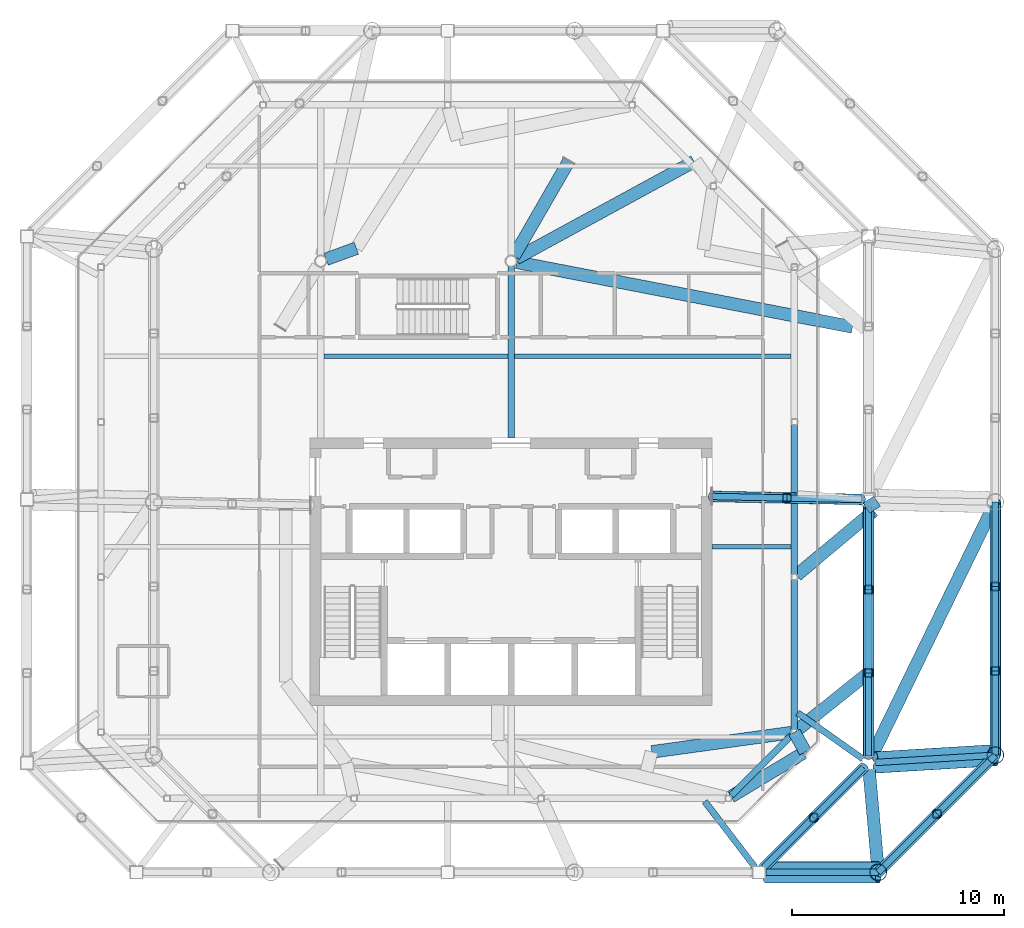
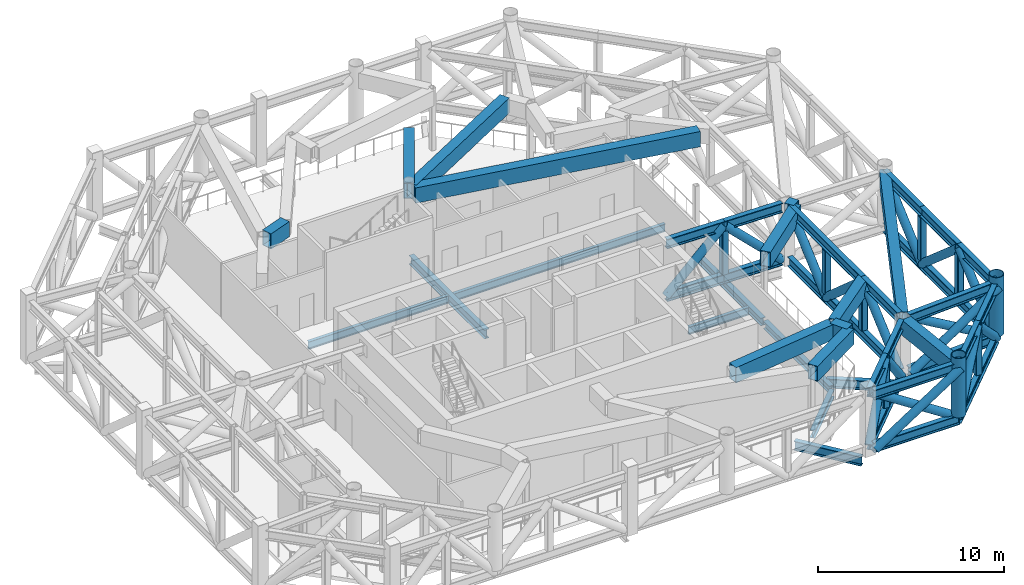
# One storey, part 4 of 14: 46 beams, 25 members.
"""IFC4 building model written with IfcOpenShell, lengths in metres."""

from ifc_helpers import new_model, si_unit, direction, frame, origin, origin_2d, place, context, subcontext, project, spatial, hollow_rectangle, hollow_circle, i_section, extrude, material, material_profile, profile_set, type_object, element, save


model = new_model("IFC4")

# Units and contexts
model_context = context("Model", 3, precision=1e-05, world=origin(), true_north=direction((0.0, 1.0)))
body_context = subcontext(model_context, "Body", "Model", "MODEL_VIEW")
ifc_project = project(units=[si_unit("LENGTHUNIT", "METRE"), si_unit("AREAUNIT", "SQUARE_METRE"), si_unit("VOLUMEUNIT", "CUBIC_METRE"), si_unit("PLANEANGLEUNIT", "RADIAN"), si_unit("MASSUNIT", "GRAM", prefix="KILO")], contexts=[model_context])

# Site, building, storey
site_placement = place(None, origin())
site = spatial("IfcSite", under=ifc_project, at=site_placement, CompositionType="ELEMENT")
building_placement = place(site_placement, origin())
building = spatial("IfcBuilding", under=site, at=building_placement, Name="Tskaro Facet Tower", CompositionType="ELEMENT")
storey_placement = place(building_placement, frame((0.0, 0.0, 255.0)))
storey = spatial("IfcBuildingStorey", under=building, at=storey_placement, Name="L67", CompositionType="ELEMENT", Elevation=255.0)

# Beams
ifc_material_1 = material(Name="Steel S355J2", Category="steel")
ifc_material_profile_1 = material_profile(ifc_material_1, hollow_rectangle(XDim=0.60009765625, YDim=1.0, WallThickness=0.0400390625, at=origin_2d()), Name="BOX 600x1000x40")
ifc_profile_set_1 = profile_set([ifc_material_profile_1], Name="Steel S355J2")
beam_type_1 = type_object("IfcBeamType", Name="BOX 600x1000x40 transfer girder", PredefinedType="BEAM", material=ifc_profile_set_1)
beam_1_placement = place(storey_placement, frame((17.199951171875, -2.75, 3.580078125), z_axis=(-0.53945551692, 0.842014100395, 0.0), x_axis=(-0.842014100395, -0.53945551692, 0.0)))
element("IfcBeam", 1, at=beam_1_placement, inside=storey, type_object=beam_type_1, Name="BOX 600x1000x40 TG6-1", PredefinedType="BEAM", context=body_context, shape_type="SweptSolid", body=[
    extrude(hollow_rectangle(XDim=0.60009765625, YDim=1.0, WallThickness=0.0400390625, at=origin_2d()), origin(), (0.0, 0.0, 1.0), 0.56884765625),
])
beam_2_placement = place(storey_placement, frame((17.138671875, -2.80126953125, 3.580078125), z_axis=(-0.766950753473, -0.641705962063, 0.0), x_axis=(0.641705962063, -0.766950753473, 0.0)))
element("IfcBeam", 2, at=beam_2_placement, inside=storey, type_object=beam_type_1, Name="BOX 600x1000x40 TG6-2", PredefinedType="BEAM", context=body_context, shape_type="SweptSolid", body=[
    extrude(hollow_rectangle(XDim=0.60009765625, YDim=1.0, WallThickness=0.0400390625, at=origin_2d()), origin(), (0.0, 0.0, 1.0), 4.74658203125),
])
beam_3_placement = place(storey_placement, frame((13.903076171875, -14.199951171875, 3.580078125), z_axis=(-0.481504417807, 0.876443663696, 0.0), x_axis=(-0.876443663696, -0.481504417807, 0.0)))
element("IfcBeam", 3, at=beam_3_placement, inside=storey, type_object=beam_type_1, Name="BOX 600x1000x40 TG6-3", PredefinedType="BEAM", context=body_context, shape_type="SweptSolid", body=[
    extrude(hollow_rectangle(XDim=0.60009765625, YDim=1.0, WallThickness=0.0400390625, at=origin_2d()), origin(), (0.0, 0.0, 1.0), 1.063232421875),
])
beam_4_placement = place(storey_placement, frame((13.8173828125, -14.251708984375, 3.580078125), z_axis=(-0.8564474962, -0.516234138985, 0.0), x_axis=(0.516234138985, -0.8564474962, 0.0)))
element("IfcBeam", 4, at=beam_4_placement, inside=storey, type_object=beam_type_1, Name="BOX 600x1000x40 TG6-4", PredefinedType="BEAM", context=body_context, shape_type="SweptSolid", body=[
    extrude(hollow_rectangle(XDim=0.60009765625, YDim=1.0, WallThickness=0.0400390625, at=origin_2d()), origin(), (0.0, 0.0, 1.0), 4.004150390625),
])
beam_5_placement = place(storey_placement, frame((8.649169921875, 13.7119140625, 3.580078125), z_axis=(-0.878144779944, -0.478394968051, 0.0), x_axis=(0.478394968051, -0.878144779944, 0.0)))
element("IfcBeam", 5, at=beam_5_placement, inside=storey, type_object=beam_type_1, Name="BOX 600x1000x40 TG6-8", PredefinedType="BEAM", context=body_context, shape_type="SweptSolid", body=[
    extrude(hollow_rectangle(XDim=0.60009765625, YDim=1.0, WallThickness=0.0400390625, at=origin_2d()), origin(), (0.0, 0.0, 1.0), 9.580078125),
])
beam_6_placement = place(storey_placement, frame((-7.31787109375, 9.61279296875, 3.580078125), z_axis=(-0.939605797038, -0.34225859547, 0.0), x_axis=(0.34225859547, -0.939605797038, 0.0)))
element("IfcBeam", 6, at=beam_6_placement, inside=storey, type_object=beam_type_1, Name="BOX 600x1000x40 TG6-13", PredefinedType="BEAM", context=body_context, shape_type="SweptSolid", body=[
    extrude(hollow_rectangle(XDim=0.60009765625, YDim=1.0, WallThickness=0.0400390625, at=origin_2d()), origin(), (0.0, 0.0, 1.0), 1.520751953125),
])
beam_7_placement = place(storey_placement, frame((2.72509765625, 13.7236328125, 3.580078125), z_axis=(-0.499695272057, -0.866201267076, 0.0), x_axis=(0.866201267076, -0.499695272057, 0.0)))
element("IfcBeam", 7, at=beam_7_placement, inside=storey, type_object=beam_type_1, Name="BOX 600x1000x40 TG6-18", PredefinedType="BEAM", context=body_context, shape_type="SweptSolid", body=[
    extrude(hollow_rectangle(XDim=0.60009765625, YDim=1.0, WallThickness=0.0400390625, at=origin_2d()), origin(), (0.0, 0.0, 1.0), 5.183837890625),
])
beam_8_placement = place(storey_placement, frame((16.89306640625, -10.46142578125, 3.580078125), z_axis=(-0.780337142181, -0.625359052491, 0.0), x_axis=(0.625359052491, -0.780337142181, 0.0)))
element("IfcBeam", 8, at=beam_8_placement, inside=storey, type_object=beam_type_1, Name="BOX 600x1000x40 TG6-22", PredefinedType="BEAM", context=body_context, shape_type="SweptSolid", body=[
    extrude(hollow_rectangle(XDim=0.60009765625, YDim=1.0, WallThickness=0.0400390625, at=origin_2d()), origin(), (0.0, 0.0, 1.0), 4.347900390625),
])
beam_9_placement = place(storey_placement, frame((6.65380859375, -14.197265625, 3.580078125), z_axis=(0.990620444928, 0.136642358334, 0.0), x_axis=(-0.136642358334, 0.990620444928, 0.0)))
element("IfcBeam", 9, at=beam_9_placement, inside=storey, type_object=beam_type_1, Name="BOX 600x1000x40 TG6-27", PredefinedType="BEAM", context=body_context, shape_type="SweptSolid", body=[
    extrude(hollow_rectangle(XDim=0.60009765625, YDim=1.0, WallThickness=0.0400390625, at=origin_2d()), origin(), (0.0, 0.0, 1.0), 6.660888671875),
])
beam_10_placement = place(storey_placement, frame((16.137451171875, 5.889404296875, 3.580078125), z_axis=(-0.981924807572, 0.189271424879, 0.0), x_axis=(-0.189271424879, -0.981924807572, 0.0)))
element("IfcBeam", 10, at=beam_10_placement, inside=storey, type_object=beam_type_1, Name="BOX 600x1000x40 TG6-30", PredefinedType="BEAM", context=body_context, shape_type="SweptSolid", body=[
    extrude(hollow_rectangle(XDim=0.60009765625, YDim=1.0, WallThickness=0.0400390625, at=origin_2d()), origin(), (0.0, 0.0, 1.0), 16.1650390625),
])
beam_11_placement = place(storey_placement, frame((17.35498046875, -19.89306640625, 3.580078125), z_axis=(-0.088956756059, 0.996035489102, 0.0), x_axis=(-0.996035489102, -0.088956756059, 0.0)))
element("IfcBeam", 11, at=beam_11_placement, inside=storey, type_object=beam_type_1, Name="BOX 600x1000x40 TG6-31", PredefinedType="BEAM", context=body_context, shape_type="SweptSolid", body=[
    extrude(hollow_rectangle(XDim=0.60009765625, YDim=1.0, WallThickness=0.0400390625, at=origin_2d()), origin(), (0.0, 0.0, 1.0), 4.879638671875),
])
beam_12_placement = place(storey_placement, frame((22.89306640625, -2.39208984375, 3.580078125), z_axis=(-0.437659301361, -0.899140887699, 0.0), x_axis=(0.899140887699, -0.437659301361, 0.0)))
element("IfcBeam", 12, at=beam_12_placement, inside=storey, type_object=beam_type_1, Name="BOX 600x1000x40 TG6-34", PredefinedType="BEAM", context=body_context, shape_type="SweptSolid", body=[
    extrude(hollow_rectangle(XDim=0.60009765625, YDim=1.0, WallThickness=0.0400390625, at=origin_2d()), origin(), (0.0, 0.0, 1.0), 13.394775390625),
])

# Members
ifc_material_2 = material(Name="Steel S355J2H", Category="steel")
ifc_material_profile_2 = material_profile(ifc_material_2, hollow_circle(Radius=0.25390625, WallThickness=0.02490234375, at=origin_2d()), Name="CHS 508x25")
ifc_profile_set_2 = profile_set([ifc_material_profile_2], Name="Steel S355J2H")
member_type_1 = type_object("IfcMemberType", Name="CHS 508x25 belt diagonal", PredefinedType="BRACE", material=ifc_profile_set_2)
for number, where, z_axis, x_axis, name in (
    (13, (11.94873046875, -19.6630859375, 0.31005859375), (0.490611479462, 0.490611479462, 0.720139397922), (-0.707106781187, 0.707106781187, 0.0), "CHS 508x25 BD5-031"),
    (14, (14.305908203125, -17.305908203125, 3.77001953125), (0.490611479462, 0.490611479462, -0.720139397922), (-0.707106781187, 0.707106781187, 0.0), "CHS 508x25 BD5-032"),
):
    element("IfcMember", number, at=place(storey_placement, frame(where, z_axis=z_axis, x_axis=x_axis)), inside=storey, type_object=member_type_1, Name=name, PredefinedType="BRACE", context=body_context, shape_type="SweptSolid", body=[
        extrude(hollow_circle(Radius=0.25390625, WallThickness=0.02490234375, at=origin_2d()), origin(), (0.0, 0.0, 1.0), 4.8046875),
    ])
member_1_placement = place(storey_placement, frame((16.89306640625, -14.39404296875, 0.31005859375), z_axis=(0.0, 0.750783783976, 0.660548037404), x_axis=(-1.0, 0.0, 0.0)))
element("IfcMember", 15, at=member_1_placement, inside=storey, type_object=member_type_1, Name="CHS 508x25 BD5-041", PredefinedType="BRACE", context=body_context, shape_type="SweptSolid", body=[
    extrude(hollow_circle(Radius=0.25390625, WallThickness=0.02490234375, at=origin_2d()), origin(), (0.0, 0.0, 1.0), 5.238037109375),
])
member_2_placement = place(storey_placement, frame((16.89306640625, -10.46142578125, 3.77001953125), z_axis=(0.0, 0.750804119683, -0.660524922972), x_axis=(-1.0, 0.0, 0.0)))
element("IfcMember", 16, at=member_2_placement, inside=storey, type_object=member_type_1, Name="CHS 508x25 BD5-042", PredefinedType="BRACE", context=body_context, shape_type="SweptSolid", body=[
    extrude(hollow_circle(Radius=0.25390625, WallThickness=0.02490234375, at=origin_2d()), origin(), (0.0, 0.0, 1.0), 5.23828125),
])
member_3_placement = place(storey_placement, frame((16.89306640625, -6.528564453125, 0.31005859375), z_axis=(0.0, 0.750783783976, 0.660548037404), x_axis=(-1.0, 0.0, 0.0)))
element("IfcMember", 17, at=member_3_placement, inside=storey, type_object=member_type_1, Name="CHS 508x25 BD5-043", PredefinedType="BRACE", context=body_context, shape_type="SweptSolid", body=[
    extrude(hollow_circle(Radius=0.25390625, WallThickness=0.02490234375, at=origin_2d()), origin(), (0.0, 0.0, 1.0), 5.238037109375),
])
for number, where, z_axis, x_axis, name in (
    (18, (17.35498046875, -19.89306640625, 0.31005859375), (0.529903095236, 0.529903095236, 0.66212190669), (-0.707106781187, 0.707106781187, 0.0), "CHS 508x25 TB5-03-D1"),
    (19, (20.1240234375, -17.1240234375, 3.77001953125), (0.529903095236, 0.529903095236, -0.66212190669), (-0.707106781187, 0.707106781187, 0.0), "CHS 508x25 TB5-03-D2"),
):
    element("IfcMember", number, at=place(storey_placement, frame(where, z_axis=z_axis, x_axis=x_axis)), inside=storey, type_object=member_type_1, Name=name, PredefinedType="BRACE", context=body_context, shape_type="SweptSolid", body=[
        extrude(hollow_circle(Radius=0.25390625, WallThickness=0.02490234375, at=origin_2d()), origin(), (0.0, 0.0, 1.0), 5.2255859375),
    ])
member_4_placement = place(storey_placement, frame((22.89306640625, -14.35498046875, 0.31005859375), z_axis=(0.0, 0.755305972074, 0.655372328184), x_axis=(-1.0, 0.0, 0.0)))
element("IfcMember", 20, at=member_4_placement, inside=storey, type_object=member_type_1, Name="CHS 508x25 TB5-04-D1", PredefinedType="BRACE", context=body_context, shape_type="SweptSolid", body=[
    extrude(hollow_circle(Radius=0.25390625, WallThickness=0.02490234375, at=origin_2d()), origin(), (0.0, 0.0, 1.0), 5.279296875),
])
member_5_placement = place(storey_placement, frame((22.89306640625, -10.367431640625, 3.77001953125), z_axis=(0.0, 0.755325833499, -0.655349437514), x_axis=(-1.0, 0.0, 0.0)))
element("IfcMember", 21, at=member_5_placement, inside=storey, type_object=member_type_1, Name="CHS 508x25 TB5-04-D2", PredefinedType="BRACE", context=body_context, shape_type="SweptSolid", body=[
    extrude(hollow_circle(Radius=0.25390625, WallThickness=0.02490234375, at=origin_2d()), origin(), (0.0, 0.0, 1.0), 5.279541015625),
])
member_6_placement = place(storey_placement, frame((22.89306640625, -6.379638671875, 0.31005859375), z_axis=(0.0, 0.755305972074, 0.655372328184), x_axis=(-1.0, 0.0, 0.0)))
element("IfcMember", 22, at=member_6_placement, inside=storey, type_object=member_type_1, Name="CHS 508x25 TB5-04-D3", PredefinedType="BRACE", context=body_context, shape_type="SweptSolid", body=[
    extrude(hollow_circle(Radius=0.25390625, WallThickness=0.02490234375, at=origin_2d()), origin(), (0.0, 0.0, 1.0), 5.279296875),
])
for number, where, z_axis, x_axis, name in (
    (23, (12.0439453125, -20.14697265625, 0.31005859375), (0.837881741724, 0.0, 0.54585179938), (0.0, 1.0, 0.0), "CHS 508x25 TL5-03A-D1"),
    (24, (12.0439453125, -19.638916015625, 3.77001953125), (0.837881741724, 0.0, -0.54585179938), (0.0, 1.0, 0.0), "CHS 508x25 TL5-03A-D2"),
):
    element("IfcMember", number, at=place(storey_placement, frame(where, z_axis=z_axis, x_axis=x_axis)), inside=storey, type_object=member_type_1, Name=name, PredefinedType="BRACE", context=body_context, shape_type="SweptSolid", body=[
        extrude(hollow_circle(Radius=0.25390625, WallThickness=0.02490234375, at=origin_2d()), origin(), (0.0, 0.0, 1.0), 6.338623046875),
    ])
for number, where, z_axis, x_axis, name in (
    (25, (17.232666015625, -14.952880859375, 0.31005859375), (0.852712440737, 0.051717332306, 0.519814208109), (-0.060539135086, 0.998165824462, 0.0), "CHS 508x25 TL5-04A-D1"),
    (26, (17.201904296875, -14.44580078125, 3.77001953125), (0.852712440737, 0.051717332306, -0.519814208109), (-0.060539135086, 0.998165824462, 0.0), "CHS 508x25 TL5-04A-D2"),
):
    element("IfcMember", number, at=place(storey_placement, frame(where, z_axis=z_axis, x_axis=x_axis)), inside=storey, type_object=member_type_1, Name=name, PredefinedType="BRACE", context=body_context, shape_type="SweptSolid", body=[
        extrude(hollow_circle(Radius=0.25390625, WallThickness=0.02490234375, at=origin_2d()), origin(), (0.0, 0.0, 1.0), 6.65625),
    ])
for number, where, z_axis, x_axis, name in (
    (27, (9.5, -2.121826171875, 0.31005859375), (0.71447167813, -0.014412831089, 0.699515897925), (0.0201686083, 0.999796592932, 0.0), "CHS 508x25 TL5-05A-D1"),
    (28, (13.033935546875, -2.193115234375, 3.77001953125), (0.71449583958, -0.014412322821, -0.699491229519), (0.020167215622, 0.999796621026, 0.0), "CHS 508x25 TL5-05A-D2"),
):
    element("IfcMember", number, at=place(storey_placement, frame(where, z_axis=z_axis, x_axis=x_axis)), inside=storey, type_object=member_type_1, Name=name, PredefinedType="BRACE", context=body_context, shape_type="SweptSolid", body=[
        extrude(hollow_circle(Radius=0.25390625, WallThickness=0.02490234375, at=origin_2d()), origin(), (0.0, 0.0, 1.0), 4.9462890625),
    ])
ifc_material_profile_3 = material_profile(ifc_material_2, hollow_circle(Radius=0.406494140625, WallThickness=0.035888671875, at=origin_2d()), Name="CHS 812.8x36")
ifc_profile_set_3 = profile_set([ifc_material_profile_3], Name="Steel S355J2H")
member_type_2 = type_object("IfcMemberType", Name="CHS 812.8x36 transfer node post", PredefinedType="POST", material=ifc_profile_set_3)
for number, where, z_axis, x_axis, name in (
    (29, (17.35498046875, -19.89306640625, 0.6201171875), (0.0, 0.0, 1.0), (1.0, 0.0, 0.0), "CHS 812.8x36 TN5-03"),
    (30, (22.89306640625, -14.35498046875, 0.6201171875), (0.0, 0.0, 1.0), (1.0, 0.0, 0.0), "CHS 812.8x36 TN5-04"),
):
    element("IfcMember", number, at=place(storey_placement, frame(where, z_axis=z_axis, x_axis=x_axis)), inside=storey, type_object=member_type_2, Name=name, PredefinedType="POST", context=body_context, shape_type="SweptSolid", body=[
        extrude(hollow_circle(Radius=0.406494140625, WallThickness=0.035888671875, at=origin_2d()), origin(), (0.0, 0.0, 1.0), 3.8798828125),
    ])

# Beams
ifc_material_profile_4 = material_profile(ifc_material_1, i_section(OverallWidth=0.300048828125, OverallDepth=0.5, WebThickness=0.014404296875, FlangeThickness=0.028076171875, FilletRadius=0.027099609375, at=origin_2d()), Name="HE 500 B")
ifc_profile_set_4 = profile_set([ifc_material_profile_4], Name="Steel S355J2")
beam_type_2 = type_object("IfcBeamType", Name="HE 500 B ring beam", PredefinedType="BEAM", material=ifc_profile_set_4)
beam_13_placement = place(storey_placement, frame((10.40380859375, -16.255126953125, -0.5), z_axis=(0.707106781187, 0.707106781187, 0.0), x_axis=(-0.707106781187, 0.707106781187, 0.0)))
element("IfcBeam", 31, at=beam_13_placement, inside=storey, type_object=beam_type_2, Name="HE 500 B EB4-5", PredefinedType="BEAM", context=body_context, shape_type="SweptSolid", body=[
    extrude(i_section(OverallWidth=0.300048828125, OverallDepth=0.5, WebThickness=0.014404296875, FlangeThickness=0.028076171875, FilletRadius=0.027099609375, at=origin_2d()), origin(), (0.0, 0.0, 1.0), 4.032470703125),
])
beam_14_placement = place(storey_placement, frame((13.39111328125, -13.137939453125, -0.5), z_axis=(0.0, 1.0, 0.0), x_axis=(-1.0, 0.0, 0.0)))
element("IfcBeam", 32, at=beam_14_placement, inside=storey, type_object=beam_type_2, Name="HE 500 B EB5-5", PredefinedType="BEAM", context=body_context, shape_type="SweptSolid", body=[
    extrude(i_section(OverallWidth=0.300048828125, OverallDepth=0.5, WebThickness=0.014404296875, FlangeThickness=0.028076171875, FilletRadius=0.027099609375, at=origin_2d()), origin(), (0.0, 0.0, 1.0), 7.071044921875),
])
beam_15_placement = place(storey_placement, frame((13.39111328125, -5.806884765625, -0.5), z_axis=(0.0, 1.0, 0.0), x_axis=(-1.0, 0.0, 0.0)))
element("IfcBeam", 33, at=beam_15_placement, inside=storey, type_object=beam_type_2, Name="HE 500 B EB6-5", PredefinedType="BEAM", context=body_context, shape_type="SweptSolid", body=[
    extrude(i_section(OverallWidth=0.300048828125, OverallDepth=0.5, WebThickness=0.014404296875, FlangeThickness=0.028076171875, FilletRadius=0.027099609375, at=origin_2d()), origin(), (0.0, 0.0, 1.0), 7.07080078125),
])
ifc_material_profile_5 = material_profile(ifc_material_1, i_section(OverallWidth=0.300048828125, OverallDepth=0.590087890625, WebThickness=0.012939453125, FlangeThickness=0.02490234375, FilletRadius=0.027099609375, at=origin_2d()), Name="HE 600 A")
ifc_profile_set_5 = profile_set([ifc_material_profile_5], Name="Steel S355J2")
beam_type_3 = type_object("IfcBeamType", Name="HE 600 A girder", PredefinedType="BEAM", material=ifc_profile_set_5)
beam_16_placement = place(storey_placement, frame((0.0, 0.64990234375, -0.544921875), z_axis=(0.0, 1.0, 0.0), x_axis=(-1.0, 0.0, 0.0)))
element("IfcBeam", 34, at=beam_16_placement, inside=storey, type_object=beam_type_3, Name="HE 600 A GB4-2-5", PredefinedType="BEAM", context=body_context, shape_type="SweptSolid", body=[
    extrude(i_section(OverallWidth=0.300048828125, OverallDepth=0.590087890625, WebThickness=0.012939453125, FlangeThickness=0.02490234375, FilletRadius=0.027099609375, at=origin_2d()), origin(), (0.0, 0.0, 1.0), 8.1005859375),
])
ifc_material_profile_6 = material_profile(ifc_material_1, i_section(OverallWidth=0.300048828125, OverallDepth=0.60009765625, WebThickness=0.015380859375, FlangeThickness=0.030029296875, FilletRadius=0.027099609375, at=origin_2d()), Name="HE 600 B")
ifc_profile_set_6 = profile_set([ifc_material_profile_6], Name="Steel S355J2")
beam_type_4 = type_object("IfcBeamType", Name="HE 600 B floor strut", PredefinedType="BEAM", material=ifc_profile_set_6)
beam_17_placement = place(storey_placement, frame((11.521484375, -19.635009765625, -0.550048828125), z_axis=(-0.607801244754, 0.794089193275, 0.0), x_axis=(-0.794089193275, -0.607801244754, 0.0)))
element("IfcBeam", 35, at=beam_17_placement, inside=storey, type_object=beam_type_4, Name="HE 600 B ES5-03", PredefinedType="BEAM", context=body_context, shape_type="SweptSolid", body=[
    extrude(i_section(OverallWidth=0.300048828125, OverallDepth=0.60009765625, WebThickness=0.015380859375, FlangeThickness=0.030029296875, FilletRadius=0.027099609375, at=origin_2d()), origin(), (0.0, 0.0, 1.0), 3.896240234375),
])
beam_18_placement = place(storey_placement, frame((16.627685546875, -14.531494140625, -0.550048828125), z_axis=(-0.816708196374, 0.577050883351, 0.0), x_axis=(-0.577050883351, -0.816708196374, 0.0)))
element("IfcBeam", 36, at=beam_18_placement, inside=storey, type_object=beam_type_4, Name="HE 600 B ES5-04", PredefinedType="BEAM", context=body_context, shape_type="SweptSolid", body=[
    extrude(i_section(OverallWidth=0.300048828125, OverallDepth=0.60009765625, WebThickness=0.015380859375, FlangeThickness=0.030029296875, FilletRadius=0.027099609375, at=origin_2d()), origin(), (0.0, 0.0, 1.0), 3.779296875),
])
ifc_material_profile_7 = material_profile(ifc_material_1, i_section(OverallWidth=0.304931640625, OverallDepth=0.6201171875, WebThickness=0.02099609375, FlangeThickness=0.0400390625, FilletRadius=0.027099609375, at=origin_2d()), Name="HE 600 M")
ifc_profile_set_7 = profile_set([ifc_material_profile_7], Name="Steel S355J2")
beam_type_5 = type_object("IfcBeamType", Name="HE 600 M belt chord", PredefinedType="BEAM", material=ifc_profile_set_7)
for number, where, z_axis, x_axis, name in (
    (37, (11.94873046875, -19.6630859375, 3.77001953125), (0.707106781187, 0.707106781187, 0.0), (-0.707106781187, 0.707106781187, 0.0), "HE 600 M BT5-03T1"),
    (38, (14.305908203125, -17.305908203125, 3.77001953125), (0.707106781187, 0.707106781187, 0.0), (-0.707106781187, 0.707106781187, 0.0), "HE 600 M BT5-03T2"),
):
    element("IfcBeam", number, at=place(storey_placement, frame(where, z_axis=z_axis, x_axis=x_axis)), inside=storey, type_object=beam_type_5, Name=name, PredefinedType="BEAM", context=body_context, shape_type="SweptSolid", body=[
        extrude(i_section(OverallWidth=0.304931640625, OverallDepth=0.6201171875, WebThickness=0.02099609375, FlangeThickness=0.0400390625, FilletRadius=0.027099609375, at=origin_2d()), origin(), (0.0, 0.0, 1.0), 3.33349609375),
    ])
beam_19_placement = place(storey_placement, frame((11.94873046875, -19.6630859375, 0.31005859375), z_axis=(0.707106781187, 0.707106781187, 0.0), x_axis=(-0.707106781187, 0.707106781187, 0.0)))
element("IfcBeam", 39, at=beam_19_placement, inside=storey, type_object=beam_type_5, Name="HE 600 M BT5-03B1", PredefinedType="BEAM", context=body_context, shape_type="SweptSolid", body=[
    extrude(i_section(OverallWidth=0.304931640625, OverallDepth=0.6201171875, WebThickness=0.02099609375, FlangeThickness=0.0400390625, FilletRadius=0.027099609375, at=origin_2d()), origin(), (0.0, 0.0, 1.0), 6.6669921875),
])
beam_20_placement = place(storey_placement, frame((16.89306640625, -14.39404296875, 3.77001953125), z_axis=(0.0, 1.0, 0.0), x_axis=(-1.0, 0.0, 0.0)))
element("IfcBeam", 40, at=beam_20_placement, inside=storey, type_object=beam_type_5, Name="HE 600 M BT5-04T1", PredefinedType="BEAM", context=body_context, shape_type="SweptSolid", body=[
    extrude(i_section(OverallWidth=0.304931640625, OverallDepth=0.6201171875, WebThickness=0.02099609375, FlangeThickness=0.0400390625, FilletRadius=0.027099609375, at=origin_2d()), origin(), (0.0, 0.0, 1.0), 3.9326171875),
])
for number, where, z_axis, x_axis, name in (
    (41, (16.89306640625, -10.46142578125, 3.77001953125), (0.0, 1.0, 0.0), (-1.0, 0.0, 0.0), "HE 600 M BT5-04T2"),
    (42, (16.89306640625, -14.39404296875, 0.31005859375), (0.0, 1.0, 0.0), (-1.0, 0.0, 0.0), "HE 600 M BT5-04B1"),
):
    element("IfcBeam", number, at=place(storey_placement, frame(where, z_axis=z_axis, x_axis=x_axis)), inside=storey, type_object=beam_type_5, Name=name, PredefinedType="BEAM", context=body_context, shape_type="SweptSolid", body=[
        extrude(i_section(OverallWidth=0.304931640625, OverallDepth=0.6201171875, WebThickness=0.02099609375, FlangeThickness=0.0400390625, FilletRadius=0.027099609375, at=origin_2d()), origin(), (0.0, 0.0, 1.0), 7.865478515625),
    ])
beam_21_placement = place(storey_placement, frame((16.89306640625, -6.528564453125, 0.31005859375), z_axis=(0.0, 1.0, 0.0), x_axis=(-1.0, 0.0, 0.0)))
element("IfcBeam", 43, at=beam_21_placement, inside=storey, type_object=beam_type_5, Name="HE 600 M BT5-04B2", PredefinedType="BEAM", context=body_context, shape_type="SweptSolid", body=[
    extrude(i_section(OverallWidth=0.304931640625, OverallDepth=0.6201171875, WebThickness=0.02099609375, FlangeThickness=0.0400390625, FilletRadius=0.027099609375, at=origin_2d()), origin(), (0.0, 0.0, 1.0), 3.9326171875),
])
for number, where, z_axis, x_axis, name in (
    (44, (17.35498046875, -19.89306640625, 3.77001953125), (0.707106781187, 0.707106781187, 0.0), (-0.707106781187, 0.707106781187, 0.0), "HE 600 M TB5-03-T1"),
    (45, (17.35498046875, -19.89306640625, 0.31005859375), (0.707106781187, 0.707106781187, 0.0), (-0.707106781187, 0.707106781187, 0.0), "HE 600 M TB5-03-B1"),
    (46, (20.1240234375, -17.1240234375, 3.77001953125), (0.707106781187, 0.707106781187, 0.0), (-0.707106781187, 0.707106781187, 0.0), "HE 600 M TB5-03-T2"),
    (47, (20.1240234375, -17.1240234375, 0.31005859375), (0.707106781187, 0.707106781187, 0.0), (-0.707106781187, 0.707106781187, 0.0), "HE 600 M TB5-03-B2"),
):
    element("IfcBeam", number, at=place(storey_placement, frame(where, z_axis=z_axis, x_axis=x_axis)), inside=storey, type_object=beam_type_5, Name=name, PredefinedType="BEAM", context=body_context, shape_type="SweptSolid", body=[
        extrude(i_section(OverallWidth=0.304931640625, OverallDepth=0.6201171875, WebThickness=0.02099609375, FlangeThickness=0.0400390625, FilletRadius=0.027099609375, at=origin_2d()), origin(), (0.0, 0.0, 1.0), 3.916015625),
    ])
for number, where, z_axis, x_axis, name in (
    (48, (22.89306640625, -14.35498046875, 3.77001953125), (0.0, 1.0, 0.0), (-1.0, 0.0, 0.0), "HE 600 M TB5-04-T1"),
    (49, (22.89306640625, -14.35498046875, 0.31005859375), (0.0, 1.0, 0.0), (-1.0, 0.0, 0.0), "HE 600 M TB5-04-B1"),
):
    element("IfcBeam", number, at=place(storey_placement, frame(where, z_axis=z_axis, x_axis=x_axis)), inside=storey, type_object=beam_type_5, Name=name, PredefinedType="BEAM", context=body_context, shape_type="SweptSolid", body=[
        extrude(i_section(OverallWidth=0.304931640625, OverallDepth=0.6201171875, WebThickness=0.02099609375, FlangeThickness=0.0400390625, FilletRadius=0.027099609375, at=origin_2d()), origin(), (0.0, 0.0, 1.0), 3.987548828125),
    ])
for number, where, z_axis, x_axis, name in (
    (50, (22.89306640625, -10.367431640625, 3.77001953125), (0.0, 1.0, 0.0), (-1.0, 0.0, 0.0), "HE 600 M TB5-04-T2"),
    (51, (22.89306640625, -10.367431640625, 0.31005859375), (0.0, 1.0, 0.0), (-1.0, 0.0, 0.0), "HE 600 M TB5-04-B2"),
):
    element("IfcBeam", number, at=place(storey_placement, frame(where, z_axis=z_axis, x_axis=x_axis)), inside=storey, type_object=beam_type_5, Name=name, PredefinedType="BEAM", context=body_context, shape_type="SweptSolid", body=[
        extrude(i_section(OverallWidth=0.304931640625, OverallDepth=0.6201171875, WebThickness=0.02099609375, FlangeThickness=0.0400390625, FilletRadius=0.027099609375, at=origin_2d()), origin(), (0.0, 0.0, 1.0), 3.98779296875),
    ])
for number, where, z_axis, x_axis, name in (
    (52, (22.89306640625, -6.379638671875, 3.77001953125), (0.0, 1.0, 0.0), (-1.0, 0.0, 0.0), "HE 600 M TB5-04-T3"),
    (53, (22.89306640625, -6.379638671875, 0.31005859375), (0.0, 1.0, 0.0), (-1.0, 0.0, 0.0), "HE 600 M TB5-04-B3"),
):
    element("IfcBeam", number, at=place(storey_placement, frame(where, z_axis=z_axis, x_axis=x_axis)), inside=storey, type_object=beam_type_5, Name=name, PredefinedType="BEAM", context=body_context, shape_type="SweptSolid", body=[
        extrude(i_section(OverallWidth=0.304931640625, OverallDepth=0.6201171875, WebThickness=0.02099609375, FlangeThickness=0.0400390625, FilletRadius=0.027099609375, at=origin_2d()), origin(), (0.0, 0.0, 1.0), 3.987548828125),
    ])
for number, where, z_axis, x_axis, name in (
    (54, (12.0439453125, -19.89306640625, 3.77001953125), (1.0, 0.0, 0.0), (0.0, 1.0, 0.0), "HE 600 M TL5-03A-T1"),
    (55, (12.0439453125, -19.89306640625, 0.31005859375), (1.0, 0.0, 0.0), (0.0, 1.0, 0.0), "HE 600 M TL5-03A-B1"),
):
    element("IfcBeam", number, at=place(storey_placement, frame(where, z_axis=z_axis, x_axis=x_axis)), inside=storey, type_object=beam_type_5, Name=name, PredefinedType="BEAM", context=body_context, shape_type="SweptSolid", body=[
        extrude(i_section(OverallWidth=0.304931640625, OverallDepth=0.6201171875, WebThickness=0.02099609375, FlangeThickness=0.0400390625, FilletRadius=0.027099609375, at=origin_2d()), origin(), (0.0, 0.0, 1.0), 5.31103515625),
    ])
for number, where, z_axis, x_axis, name in (
    (56, (17.21728515625, -14.69921875, 3.77001953125), (0.998165824462, 0.060539135086, 0.0), (-0.060539135086, 0.998165824462, 0.0), "HE 600 M TL5-04A-T1"),
    (57, (17.21728515625, -14.69921875, 0.31005859375), (0.998165824462, 0.060539135086, 0.0), (-0.060539135086, 0.998165824462, 0.0), "HE 600 M TL5-04A-B1"),
):
    element("IfcBeam", number, at=place(storey_placement, frame(where, z_axis=z_axis, x_axis=x_axis)), inside=storey, type_object=beam_type_5, Name=name, PredefinedType="BEAM", context=body_context, shape_type="SweptSolid", body=[
        extrude(i_section(OverallWidth=0.304931640625, OverallDepth=0.6201171875, WebThickness=0.02099609375, FlangeThickness=0.0400390625, FilletRadius=0.027099609375, at=origin_2d()), origin(), (0.0, 0.0, 1.0), 5.686279296875),
    ])
for number, where, z_axis, x_axis, name in (
    (58, (9.5, -2.121826171875, 3.77001953125), (0.999796592932, -0.0201686083, 0.0), (0.0201686083, 0.999796592932, 0.0), "HE 600 M TL5-05A-T1"),
    (59, (9.5, -2.121826171875, 0.31005859375), (0.999796592932, -0.0201686083, 0.0), (0.0201686083, 0.999796592932, 0.0), "HE 600 M TL5-05A-B1"),
):
    element("IfcBeam", number, at=place(storey_placement, frame(where, z_axis=z_axis, x_axis=x_axis)), inside=storey, type_object=beam_type_5, Name=name, PredefinedType="BEAM", context=body_context, shape_type="SweptSolid", body=[
        extrude(i_section(OverallWidth=0.304931640625, OverallDepth=0.6201171875, WebThickness=0.02099609375, FlangeThickness=0.0400390625, FilletRadius=0.027099609375, at=origin_2d()), origin(), (0.0, 0.0, 1.0), 3.53466796875),
    ])
for number, where, z_axis, x_axis, name in (
    (60, (13.033935546875, -2.193115234375, 3.77001953125), (0.999796621026, -0.020167215622, 0.0), (0.020167215622, 0.999796621026, 0.0), "HE 600 M TL5-05A-T2"),
    (61, (13.033935546875, -2.193115234375, 0.31005859375), (0.999796621026, -0.020167215622, 0.0), (0.020167215622, 0.999796621026, 0.0), "HE 600 M TL5-05A-B2"),
):
    element("IfcBeam", number, at=place(storey_placement, frame(where, z_axis=z_axis, x_axis=x_axis)), inside=storey, type_object=beam_type_5, Name=name, PredefinedType="BEAM", context=body_context, shape_type="SweptSolid", body=[
        extrude(i_section(OverallWidth=0.304931640625, OverallDepth=0.6201171875, WebThickness=0.02099609375, FlangeThickness=0.0400390625, FilletRadius=0.027099609375, at=origin_2d()), origin(), (0.0, 0.0, 1.0), 3.534912109375),
    ])
ifc_material_profile_8 = material_profile(ifc_material_1, i_section(OverallWidth=0.199951171875, OverallDepth=0.5, WebThickness=0.01025390625, FlangeThickness=0.01611328125, FilletRadius=0.02099609375, at=origin_2d()), Name="IPE 500")
ifc_profile_set_8 = profile_set([ifc_material_profile_8], Name="Steel S355J2")
beam_type_6 = type_object("IfcBeamType", Name="IPE 500 secondary beam", PredefinedType="BEAM", material=ifc_profile_set_8)
beam_22_placement = place(storey_placement, frame((9.5, -4.5, -0.5), z_axis=(1.0, 0.0, 0.0), x_axis=(0.0, 1.0, 0.0)))
element("IfcBeam", 62, at=beam_22_placement, inside=storey, type_object=beam_type_6, Name="IPE 500 SB3a-2-5", PredefinedType="BEAM", context=body_context, shape_type="SweptSolid", body=[
    extrude(i_section(OverallWidth=0.199951171875, OverallDepth=0.5, WebThickness=0.01025390625, FlangeThickness=0.01611328125, FilletRadius=0.02099609375, at=origin_2d()), origin(), (0.0, 0.0, 1.0), 3.740966796875),
])
beam_23_placement = place(storey_placement, frame((-8.85009765625, 4.5, -0.5), z_axis=(1.0, 0.0, 0.0), x_axis=(0.0, 1.0, 0.0)))
element("IfcBeam", 63, at=beam_23_placement, inside=storey, type_object=beam_type_6, Name="IPE 500 SB4a-2-5", PredefinedType="BEAM", context=body_context, shape_type="SweptSolid", body=[
    extrude(i_section(OverallWidth=0.199951171875, OverallDepth=0.5, WebThickness=0.01025390625, FlangeThickness=0.01611328125, FilletRadius=0.02099609375, at=origin_2d()), origin(), (0.0, 0.0, 1.0), 8.7001953125),
])
beam_24_placement = place(storey_placement, frame((0.14990234375, 4.5, -0.5), z_axis=(1.0, 0.0, 0.0), x_axis=(0.0, 1.0, 0.0)))
element("IfcBeam", 64, at=beam_24_placement, inside=storey, type_object=beam_type_6, Name="IPE 500 SB4a-3-5", PredefinedType="BEAM", context=body_context, shape_type="SweptSolid", body=[
    extrude(i_section(OverallWidth=0.199951171875, OverallDepth=0.5, WebThickness=0.01025390625, FlangeThickness=0.01611328125, FilletRadius=0.02099609375, at=origin_2d()), origin(), (0.0, 0.0, 1.0), 13.091064453125),
])

# Members
ifc_material_profile_9 = material_profile(ifc_material_2, hollow_rectangle(XDim=0.39990234375, YDim=0.39990234375, WallThickness=0.02490234375, InnerFilletRadius=0.03759765625, OuterFilletRadius=0.0625, at=origin_2d()), Name="SHS 400x400x25")
ifc_profile_set_9 = profile_set([ifc_material_profile_9], Name="Steel S355J2H")
member_type_3 = type_object("IfcMemberType", Name="SHS 400x400x25 belt post", PredefinedType="POST", material=ifc_profile_set_9)
for number, where, z_axis, x_axis, name in (
    (65, (14.305908203125, -17.305908203125, 0.6201171875), (0.0, 0.0, 1.0), (1.0, 0.0, 0.0), "SHS 400x400x25 BP5-031"),
    (66, (16.89306640625, -10.46142578125, 0.6201171875), (0.0, 0.0, 1.0), (1.0, 0.0, 0.0), "SHS 400x400x25 BP5-041"),
    (67, (16.89306640625, -6.528564453125, 0.6201171875), (0.0, 0.0, 1.0), (1.0, 0.0, 0.0), "SHS 400x400x25 BP5-042"),
    (68, (20.1240234375, -17.1240234375, 0.6201171875), (0.0, 0.0, 1.0), (1.0, 0.0, 0.0), "SHS 400x400x25 TB5-03-P1"),
    (69, (22.89306640625, -10.367431640625, 0.6201171875), (0.0, 0.0, 1.0), (1.0, 0.0, 0.0), "SHS 400x400x25 TB5-04-P1"),
    (70, (22.89306640625, -6.379638671875, 0.6201171875), (0.0, 0.0, 1.0), (1.0, 0.0, 0.0), "SHS 400x400x25 TB5-04-P2"),
    (71, (13.033935546875, -2.193115234375, 0.6201171875), (0.0, 0.0, 1.0), (1.0, 0.0, 0.0), "SHS 400x400x25 TL5-05A-P1"),
):
    element("IfcMember", number, at=place(storey_placement, frame(where, z_axis=z_axis, x_axis=x_axis)), inside=storey, type_object=member_type_3, Name=name, PredefinedType="POST", context=body_context, shape_type="SweptSolid", body=[
        extrude(hollow_rectangle(XDim=0.39990234375, YDim=0.39990234375, WallThickness=0.02490234375, InnerFilletRadius=0.03759765625, OuterFilletRadius=0.0625, at=origin_2d()), origin(), (0.0, 0.0, 1.0), 2.83984375),
    ])

save(model, "model.ifc")
